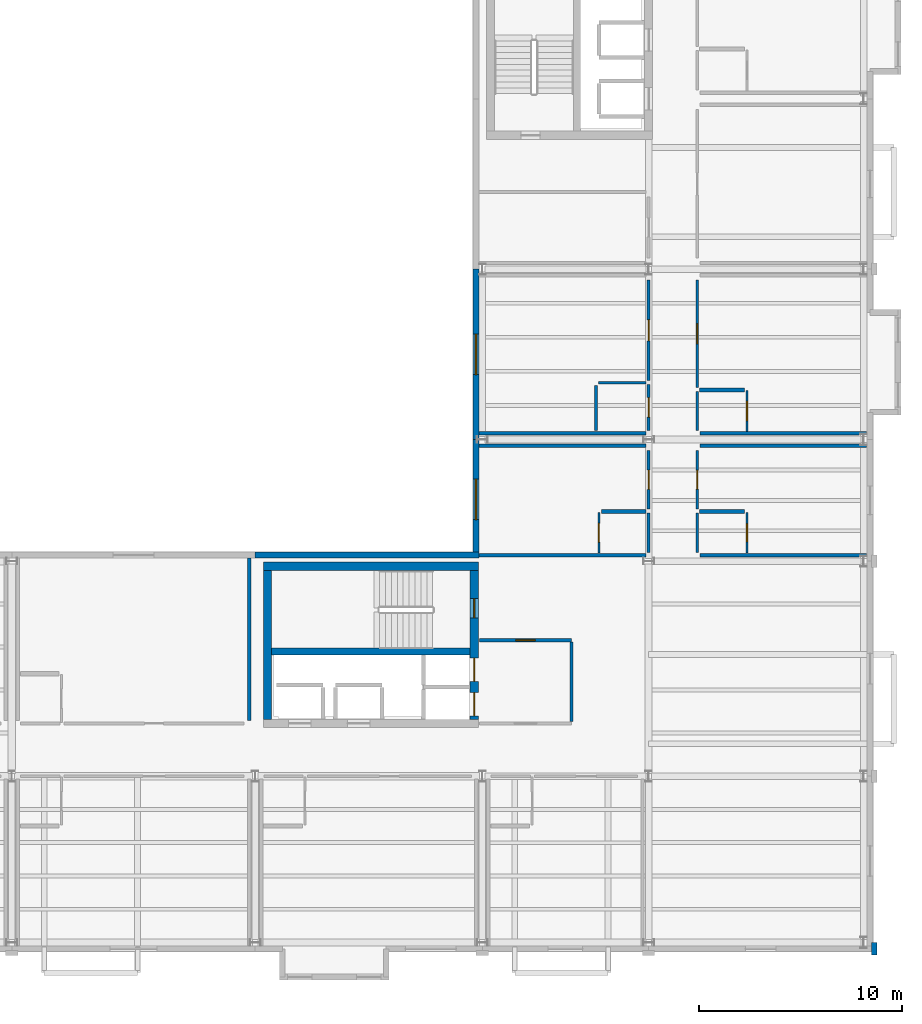
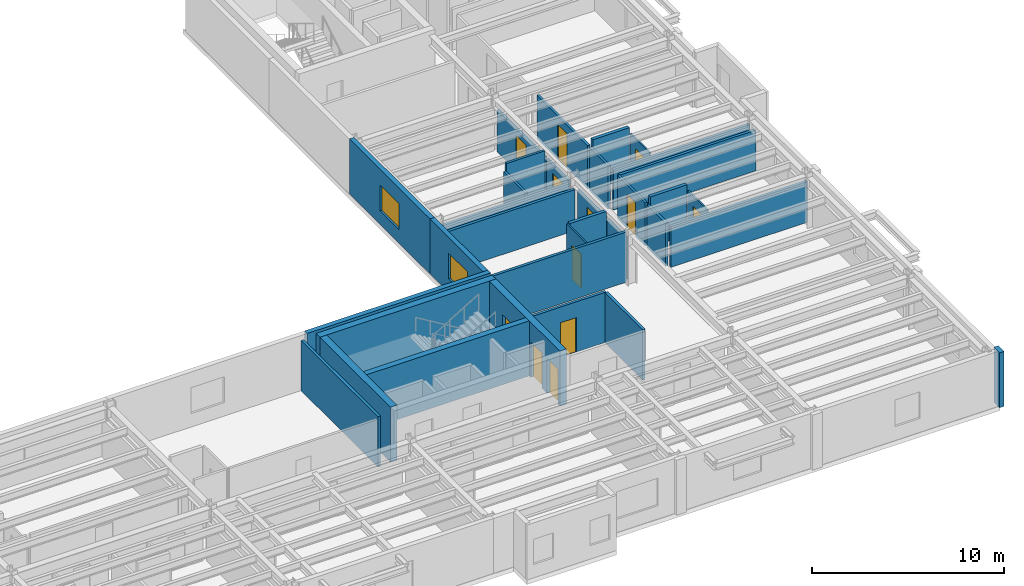
# One storey, part 13 of 17: 33 walls, 12 doors, 2 windows, 14 openings.
"""IFC4 building model written with IfcOpenShell, lengths in metres."""

from ifc_helpers import new_model, si_unit, direction, frame, frame_2d, origin, place, context, subcontext, project, spatial, rectangle, extrude, material, layer, layer_set, type_object, element, fill, save


model = new_model("IFC4")

# Units and contexts
model_context = context("Model", 3, precision=1e-05, world=origin(), true_north=direction((0.0, 1.0)))
body_context = subcontext(model_context, "Body", "Model", "MODEL_VIEW")
ifc_project = project(units=[si_unit("LENGTHUNIT", "METRE"), si_unit("AREAUNIT", "SQUARE_METRE"), si_unit("VOLUMEUNIT", "CUBIC_METRE"), si_unit("PLANEANGLEUNIT", "RADIAN"), si_unit("MASSUNIT", "GRAM", prefix="KILO")], contexts=[model_context])

# Site, building, storey
site_placement = place(None, origin())
site = spatial("IfcSite", under=ifc_project, at=site_placement, CompositionType="ELEMENT")
building_placement = place(site_placement, origin())
building = spatial("IfcBuilding", under=site, at=building_placement, Name="Sollismere Congress Hotel", CompositionType="ELEMENT")
storey_placement = place(building_placement, frame((0.0, 0.0, 37.60009765625)))
storey = spatial("IfcBuildingStorey", under=building, at=storey_placement, Name="L09", CompositionType="ELEMENT", Elevation=37.60009765625)

# Wall
ifc_material_1 = material(Name="Colorado Buff Sandstone Rainscreen on Insulated Backup", Category="masonry")
ifc_layer_1 = layer(ifc_material_1, 0.284912109375, Name="Colorado Buff Sandstone Rainscreen on Insulated Backup")
ifc_layer_set_1 = layer_set([ifc_layer_1], Name="Colorado Buff Sandstone Rainscreen on Insulated Backup")
wall_type_1 = type_object("IfcWallType", Name="WL-EXT285", PredefinedType="STANDARD", material=ifc_layer_set_1)
wall_1_placement = place(storey_placement, frame((147.030029296875, 19.110107421875, 0.0), z_axis=(0.0, 0.0, 1.0), x_axis=(-1.0, 0.0, 0.0)))
element("IfcWall", 1, at=wall_1_placement, inside=storey, type_object=wall_type_1, Name="Exterior wall EW-L09-933", PredefinedType="STANDARD", context=body_context, shape_type="SweptSolid", body=[
    extrude(rectangle(XDim=11.030029296875, YDim=0.284912109375, at=frame_2d((5.51513671875, 0.0))), origin(), (0.0, 0.0, 1.0), 3.5),
])

# Wall, opening, window
wall_2_placement = place(storey_placement, frame((146.889892578125, 19.25439453125, 0.0), z_axis=(0.0, 0.0, 1.0), x_axis=(0.0, 1.0, 0.0)))
wall_2 = element("IfcWall", 2, at=wall_2_placement, inside=storey, type_object=wall_type_1, Name="Exterior wall EW-L09-934", PredefinedType="STANDARD", context=body_context, shape_type="SweptSolid", body=[
    extrude(rectangle(XDim=5.545654296875, YDim=0.284912109375, at=frame_2d((2.77294921875, 0.0))), origin(), (0.0, 0.0, 1.0), 3.5),
])
opening_1_placement = place(wall_2_placement, frame((1.59765625, 0.0, 0.85009765625)))
opening_1 = element("IfcOpeningElement", 3, at=opening_1_placement, cuts=wall_2, Name="Opening W-L09-668", PredefinedType="OPENING", context=body_context, shape_type="SweptSolid", body=[
    extrude(rectangle(XDim=2.0, YDim=1.64990234375, at=frame_2d((1.0, 0.824951171875))), frame((0.0, 0.15234375, 0.0), z_axis=(0.0, -1.0, 0.0), x_axis=(1.0, 0.0, 0.0)), (0.0, 0.0, 1.0), 0.304931640625),
])
ifc_material_2 = material(Name="Thermally Broken Bronze Aluminum & Low-E Glass", Category="aluminium")
window_type = type_object("IfcWindowType", Name="WN-P200x165", PartitioningType="SINGLE_PANEL", PredefinedType="WINDOW", material=ifc_material_2)
window_1_placement = place(opening_1_placement, origin())
window_1 = element("IfcWindow", 4, at=window_1_placement, inside=storey, type_object=window_type, Name="WIN-W-L09-668", OverallHeight=1.64990234375, OverallWidth=2.0, PartitioningType="SINGLE_PANEL", PredefinedType="WINDOW", context=body_context, shape_type="SweptSolid", body=[
    extrude(rectangle(XDim=2.0, YDim=1.64990234375, at=frame_2d((1.0, 0.824951171875))), frame((0.0, 0.030029296875, 0.0), z_axis=(0.0, -1.0, 0.0), x_axis=(1.0, 0.0, 0.0)), (0.0, 0.0, 1.0), 0.06005859375),
])
fill(opening_1, window_1)

wall_3_placement = place(storey_placement, frame((146.889892578125, 24.800048828125, 0.0), z_axis=(0.0, 0.0, 1.0), x_axis=(0.0, 1.0, 0.0)))
wall_3 = element("IfcWall", 5, at=wall_3_placement, inside=storey, type_object=wall_type_1, Name="Exterior wall EW-L09-935", PredefinedType="STANDARD", context=body_context, shape_type="SweptSolid", body=[
    extrude(rectangle(XDim=8.39990234375, YDim=0.284912109375, at=frame_2d((4.199951171875, 0.0))), origin(), (0.0, 0.0, 1.0), 3.5),
])
opening_2_placement = place(wall_3_placement, frame((3.199951171875, 0.0, 0.85009765625)))
opening_2 = element("IfcOpeningElement", 6, at=opening_2_placement, cuts=wall_3, Name="Opening W-L09-669", PredefinedType="OPENING", context=body_context, shape_type="SweptSolid", body=[
    extrude(rectangle(XDim=2.0, YDim=1.64990234375, at=frame_2d((1.0, 0.824951171875))), frame((0.0, 0.15234375, 0.0), z_axis=(0.0, -1.0, 0.0), x_axis=(1.0, 0.0, 0.0)), (0.0, 0.0, 1.0), 0.304931640625),
])
window_2_placement = place(opening_2_placement, origin())
window_2 = element("IfcWindow", 7, at=window_2_placement, inside=storey, type_object=window_type, Name="WIN-W-L09-669", OverallHeight=1.64990234375, OverallWidth=2.0, PartitioningType="SINGLE_PANEL", PredefinedType="WINDOW", context=body_context, shape_type="SweptSolid", body=[
    extrude(rectangle(XDim=2.0, YDim=1.64990234375, at=frame_2d((1.0, 0.824951171875))), frame((0.0, 0.030029296875, 0.0), z_axis=(0.0, -1.0, 0.0), x_axis=(1.0, 0.0, 0.0)), (0.0, 0.0, 1.0), 0.06005859375),
])
fill(opening_2, window_2)

# Walls
ifc_material_3 = material(Name="Carved Travertine Pilaster & Frieze Assembly", Category="masonry")
ifc_layer_2 = layer(ifc_material_3, 0.260009765625, Name="Carved Travertine Pilaster & Frieze Assembly")
ifc_layer_set_2 = layer_set([ifc_layer_2], Name="Carved Travertine Pilaster & Frieze Assembly")
wall_type_2 = type_object("IfcWallType", Name="WL-PIL280", PredefinedType="ELEMENTEDWALL", material=ifc_layer_set_2)
wall_4_placement = place(storey_placement, frame((166.52001953125, -0.610107421875, 0.0), z_axis=(0.0, 0.0, 1.0), x_axis=(0.0, 1.0, 0.0)))
element("IfcWall", 8, at=wall_4_placement, inside=storey, type_object=wall_type_2, Name="Exterior wall EW-L09-909", PredefinedType="ELEMENTEDWALL", context=body_context, shape_type="SweptSolid", body=[
    extrude(rectangle(XDim=0.60009765625, YDim=0.260009765625, at=frame_2d((0.300048828125, 0.0))), origin(), (0.0, 0.0, 1.0), 3.5),
])
ifc_material_4 = material(Name="Moisture-Resistant Shaft Gypsum Assembly")
ifc_layer_3 = layer(ifc_material_4, 0.199951171875, Name="Moisture-Resistant Shaft Gypsum Assembly")
ifc_layer_set_3 = layer_set([ifc_layer_3], Name="Moisture-Resistant Shaft Gypsum Assembly")
wall_type_3 = type_object("IfcWallType", Name="WL-PLM200", PredefinedType="PLUMBINGWALL", material=ifc_layer_set_3)
for number, where, z_axis, x_axis, name in (
    (9, (157.919921875, 21.25, 0.0), (0.0, 0.0, 1.0), (1.0, 0.0, 0.0), "Interior wall IW-L09-2698"),
    (10, (153.070068359375, 21.25, 0.0), (0.0, 0.0, 1.0), (1.0, 0.0, 0.0), "Interior wall IW-L09-2704"),
    (11, (157.919921875, 27.25, 0.0), (0.0, 0.0, 1.0), (1.0, 0.0, 0.0), "Interior wall IW-L09-2710"),
):
    element("IfcWall", number, at=place(storey_placement, frame(where, z_axis=z_axis, x_axis=x_axis)), inside=storey, type_object=wall_type_3, Name=name, PredefinedType="PLUMBINGWALL", context=body_context, shape_type="SweptSolid", body=[
        extrude(rectangle(XDim=2.2099609375, YDim=0.199951171875, at=frame_2d((1.10498046875, 0.0))), origin(), (0.0, 0.0, 1.0), 3.199951171875),
    ])

# Wall, opening, door
ifc_material_5 = material(Name="Moisture-Resistant Gypsum Partition")
ifc_layer_4 = layer(ifc_material_5, 0.10009765625, Name="Moisture-Resistant Gypsum Partition")
ifc_layer_set_4 = layer_set([ifc_layer_4], Name="Moisture-Resistant Gypsum Partition")
wall_type_4 = type_object("IfcWallType", Name="WL-PRT100", PredefinedType="PARTITIONING", material=ifc_layer_set_4)
wall_5_placement = place(storey_placement, frame((160.25, 19.194580078125, 0.0), z_axis=(0.0, 0.0, 1.0), x_axis=(0.0, 1.0, 0.0)))
wall_5 = element("IfcWall", 12, at=wall_5_placement, inside=storey, type_object=wall_type_4, Name="Interior wall IW-L09-2699", PredefinedType="PARTITIONING", context=body_context, shape_type="SweptSolid", body=[
    extrude(rectangle(XDim=2.015380859375, YDim=0.10009765625, at=frame_2d((1.0078125, 0.0))), origin(), (0.0, 0.0, 1.0), 2.7578125),
])
opening_3_placement = place(wall_5_placement, frame((0.554931640625, 0.0, 0.0)))
opening_3 = element("IfcOpeningElement", 13, at=opening_3_placement, cuts=wall_5, Name="Opening D-L09-0953", PredefinedType="OPENING", context=body_context, shape_type="SweptSolid", body=[
    extrude(rectangle(XDim=0.905029296875, YDim=2.10009765625, at=frame_2d((0.45263671875, 1.050048828125))), frame((0.0, 0.06005859375, 0.0), z_axis=(0.0, -1.0, 0.0), x_axis=(1.0, 0.0, 0.0)), (0.0, 0.0, 1.0), 0.1201171875),
])
ifc_material_6 = material(Name="Moisture-Sealed Timber Bathroom Door", Category="wood")
door_type_1 = type_object("IfcDoorType", Name="DR-BT02", OperationType="NOTDEFINED", PredefinedType="DOOR", material=ifc_material_6)
door_1_placement = place(opening_3_placement, origin())
door_1 = element("IfcDoor", 14, at=door_1_placement, inside=storey, type_object=door_type_1, Name="En-suite bathroom door D-L09-0953", OperationType="SINGLE_SWING_RIGHT", OverallHeight=2.10009765625, OverallWidth=0.905029296875, PredefinedType="DOOR", context=body_context, shape_type="SweptSolid", body=[
    extrude(rectangle(XDim=0.905029296875, YDim=2.10009765625, at=frame_2d((0.45263671875, 1.050048828125))), frame((0.0, 0.02490234375, 0.0), z_axis=(0.0, -1.0, 0.0), x_axis=(1.0, 0.0, 0.0)), (0.0, 0.0, 1.0), 0.050048828125),
])
fill(opening_3, door_1)

wall_6_placement = place(storey_placement, frame((152.949951171875, 19.194580078125, 0.0), z_axis=(0.0, 0.0, 1.0), x_axis=(0.0, 1.0, 0.0)))
wall_6 = element("IfcWall", 15, at=wall_6_placement, inside=storey, type_object=wall_type_4, Name="Interior wall IW-L09-2705", PredefinedType="PARTITIONING", context=body_context, shape_type="SweptSolid", body=[
    extrude(rectangle(XDim=2.015380859375, YDim=0.10009765625, at=frame_2d((1.0078125, 0.0))), origin(), (0.0, 0.0, 1.0), 3.199951171875),
])
opening_4_placement = place(wall_6_placement, frame((0.54296875, 0.0, 0.0)))
opening_4 = element("IfcOpeningElement", 16, at=opening_4_placement, cuts=wall_6, Name="Opening D-L09-0955", PredefinedType="OPENING", context=body_context, shape_type="SweptSolid", body=[
    extrude(rectangle(XDim=0.929931640625, YDim=2.139892578125, at=frame_2d((0.46484375, 1.06982421875))), frame((0.0, 0.06005859375, 0.0), z_axis=(0.0, -1.0, 0.0), x_axis=(1.0, 0.0, 0.0)), (0.0, 0.0, 1.0), 0.1201171875),
])
door_type_2 = type_object("IfcDoorType", Name="DR-BT03", OperationType="NOTDEFINED", PredefinedType="DOOR", material=ifc_material_6)
door_2_placement = place(opening_4_placement, origin())
door_2 = element("IfcDoor", 17, at=door_2_placement, inside=storey, type_object=door_type_2, Name="En-suite bathroom door D-L09-0955", OperationType="SINGLE_SWING_RIGHT", OverallHeight=2.139892578125, OverallWidth=0.929931640625, PredefinedType="DOOR", context=body_context, shape_type="SweptSolid", body=[
    extrude(rectangle(XDim=0.929931640625, YDim=2.139892578125, at=frame_2d((0.46484375, 1.06982421875))), frame((0.0, 0.02490234375, 0.0), z_axis=(0.0, -1.0, 0.0), x_axis=(1.0, 0.0, 0.0)), (0.0, 0.0, 1.0), 0.050048828125),
])
fill(opening_4, door_2)

wall_7_placement = place(storey_placement, frame((160.25, 25.194580078125, 0.0), z_axis=(0.0, 0.0, 1.0), x_axis=(0.0, 1.0, 0.0)))
wall_7 = element("IfcWall", 18, at=wall_7_placement, inside=storey, type_object=wall_type_4, Name="Interior wall IW-L09-2711", PredefinedType="PARTITIONING", context=body_context, shape_type="SweptSolid", body=[
    extrude(rectangle(XDim=2.015380859375, YDim=0.10009765625, at=frame_2d((1.0078125, 0.0))), origin(), (0.0, 0.0, 1.0), 2.7578125),
])
opening_5_placement = place(wall_7_placement, frame((0.530029296875, 0.0, 0.0)))
opening_5 = element("IfcOpeningElement", 19, at=opening_5_placement, cuts=wall_7, Name="Opening D-L09-0957", PredefinedType="OPENING", context=body_context, shape_type="SweptSolid", body=[
    extrude(rectangle(XDim=0.955078125, YDim=2.139892578125, at=frame_2d((0.4775390625, 1.06982421875))), frame((0.0, 0.06005859375, 0.0), z_axis=(0.0, -1.0, 0.0), x_axis=(1.0, 0.0, 0.0)), (0.0, 0.0, 1.0), 0.1201171875),
])
door_type_3 = type_object("IfcDoorType", Name="DR-BT04", OperationType="NOTDEFINED", PredefinedType="DOOR", material=ifc_material_6)
door_3_placement = place(opening_5_placement, origin())
door_3 = element("IfcDoor", 20, at=door_3_placement, inside=storey, type_object=door_type_3, Name="En-suite bathroom door D-L09-0957", OperationType="SINGLE_SWING_RIGHT", OverallHeight=2.139892578125, OverallWidth=0.955078125, PredefinedType="DOOR", context=body_context, shape_type="SweptSolid", body=[
    extrude(rectangle(XDim=0.955078125, YDim=2.139892578125, at=frame_2d((0.4775390625, 1.06982421875))), frame((0.0, 0.02490234375, 0.0), z_axis=(0.0, -1.0, 0.0), x_axis=(1.0, 0.0, 0.0)), (0.0, 0.0, 1.0), 0.050048828125),
])
fill(opening_5, door_3)

# Wall
ifc_material_7 = material(Name="Fire-Rated Gypsum Partition")
ifc_layer_5 = layer(ifc_material_7, 0.139892578125, Name="Fire-Rated Gypsum Partition")
ifc_layer_set_5 = layer_set([ifc_layer_5], Name="Fire-Rated Gypsum Partition")
wall_type_5 = type_object("IfcWallType", Name="WL-PRT140R", PredefinedType="PARTITIONING", material=ifc_layer_set_5)
wall_8_placement = place(storey_placement, frame((157.800048828125, 19.239990234375, 0.0), z_axis=(0.0, 0.0, 1.0), x_axis=(0.0, 1.0, 0.0)))
element("IfcWall", 21, at=wall_8_placement, inside=storey, type_object=wall_type_5, Name="Interior wall IW-L09-2694", PredefinedType="PARTITIONING", context=body_context, shape_type="SweptSolid", body=[
    extrude(rectangle(XDim=1.929931640625, YDim=0.139892578125, at=frame_2d((0.96484375, 0.0))), origin(), (0.0, 0.0, 1.0), 2.7578125),
])

# Wall, opening, door
wall_9_placement = place(storey_placement, frame((157.800048828125, 21.3701171875, 0.0), z_axis=(0.0, 0.0, 1.0), x_axis=(0.0, 1.0, 0.0)))
wall_9 = element("IfcWall", 22, at=wall_9_placement, inside=storey, type_object=wall_type_5, Name="Interior wall IW-L09-2695", PredefinedType="PARTITIONING", context=body_context, shape_type="SweptSolid", body=[
    extrude(rectangle(XDim=2.889892578125, YDim=0.139892578125, at=frame_2d((1.44482421875, 0.0))), origin(), (0.0, 0.0, 1.0), 2.7578125),
])
opening_6_placement = place(wall_9_placement, frame((0.985107421875, 0.0, 0.0)))
opening_6 = element("IfcOpeningElement", 23, at=opening_6_placement, cuts=wall_9, Name="Opening D-L09-0952", PredefinedType="OPENING", context=body_context, shape_type="SweptSolid", body=[
    extrude(rectangle(XDim=0.919921875, YDim=2.14990234375, at=frame_2d((0.4599609375, 1.074951171875))), frame((0.0, 0.079833984375, 0.0), z_axis=(0.0, -1.0, 0.0), x_axis=(1.0, 0.0, 0.0)), (0.0, 0.0, 1.0), 0.159912109375),
])
ifc_material_8 = material(Name="Solid-Core Acoustic Walnut Guestroom Entry Door")
door_type_4 = type_object("IfcDoorType", Name="DR-KY01", OperationType="NOTDEFINED", PredefinedType="DOOR", material=ifc_material_8)
door_4_placement = place(opening_6_placement, origin())
door_4 = element("IfcDoor", 24, at=door_4_placement, inside=storey, type_object=door_type_4, Name="Hotel room entry door D-L09-0952", OperationType="SINGLE_SWING_LEFT", OverallHeight=2.14990234375, OverallWidth=0.919921875, PredefinedType="DOOR", context=body_context, shape_type="SweptSolid", body=[
    extrude(rectangle(XDim=0.919921875, YDim=2.14990234375, at=frame_2d((0.4599609375, 1.074951171875))), frame((0.0, 0.02490234375, 0.0), z_axis=(0.0, -1.0, 0.0), x_axis=(1.0, 0.0, 0.0)), (0.0, 0.0, 1.0), 0.050048828125),
])
fill(opening_6, door_4)

# Wall
wall_10_placement = place(storey_placement, frame((155.39990234375, 19.239990234375, 0.0), z_axis=(0.0, 0.0, 1.0), x_axis=(0.0, 1.0, 0.0)))
element("IfcWall", 25, at=wall_10_placement, inside=storey, type_object=wall_type_5, Name="Interior wall IW-L09-2700", PredefinedType="PARTITIONING", context=body_context, shape_type="SweptSolid", body=[
    extrude(rectangle(XDim=1.929931640625, YDim=0.139892578125, at=frame_2d((0.96484375, 0.0))), origin(), (0.0, 0.0, 1.0), 2.673828125),
])

# Wall, opening, door
wall_11_placement = place(storey_placement, frame((155.39990234375, 21.3701171875, 0.0), z_axis=(0.0, 0.0, 1.0), x_axis=(0.0, 1.0, 0.0)))
wall_11 = element("IfcWall", 26, at=wall_11_placement, inside=storey, type_object=wall_type_5, Name="Interior wall IW-L09-2701", PredefinedType="PARTITIONING", context=body_context, shape_type="SweptSolid", body=[
    extrude(rectangle(XDim=2.889892578125, YDim=0.139892578125, at=frame_2d((1.44482421875, 0.0))), origin(), (0.0, 0.0, 1.0), 2.673828125),
])
opening_7_placement = place(wall_11_placement, frame((0.969970703125, 0.0, 0.0)))
opening_7 = element("IfcOpeningElement", 27, at=opening_7_placement, cuts=wall_11, Name="Opening D-L09-0954", PredefinedType="OPENING", context=body_context, shape_type="SweptSolid", body=[
    extrude(rectangle(XDim=0.949951171875, YDim=2.14990234375, at=frame_2d((0.47509765625, 1.074951171875))), frame((0.0, 0.079833984375, 0.0), z_axis=(0.0, -1.0, 0.0), x_axis=(1.0, 0.0, 0.0)), (0.0, 0.0, 1.0), 0.159912109375),
])
door_type_5 = type_object("IfcDoorType", Name="DR-KY02", OperationType="NOTDEFINED", PredefinedType="DOOR", material=ifc_material_8)
door_5_placement = place(opening_7_placement, origin())
door_5 = element("IfcDoor", 28, at=door_5_placement, inside=storey, type_object=door_type_5, Name="Hotel room entry door D-L09-0954", OperationType="SINGLE_SWING_LEFT", OverallHeight=2.14990234375, OverallWidth=0.949951171875, PredefinedType="DOOR", context=body_context, shape_type="SweptSolid", body=[
    extrude(rectangle(XDim=0.949951171875, YDim=2.14990234375, at=frame_2d((0.47509765625, 1.074951171875))), frame((0.0, 0.02490234375, 0.0), z_axis=(0.0, -1.0, 0.0), x_axis=(1.0, 0.0, 0.0)), (0.0, 0.0, 1.0), 0.050048828125),
])
fill(opening_7, door_5)

# Wall
wall_12_placement = place(storey_placement, frame((157.800048828125, 25.239990234375, 0.0), z_axis=(0.0, 0.0, 1.0), x_axis=(0.0, 1.0, 0.0)))
element("IfcWall", 29, at=wall_12_placement, inside=storey, type_object=wall_type_5, Name="Interior wall IW-L09-2706", PredefinedType="PARTITIONING", context=body_context, shape_type="SweptSolid", body=[
    extrude(rectangle(XDim=1.929931640625, YDim=0.139892578125, at=frame_2d((0.96484375, 0.0))), origin(), (0.0, 0.0, 1.0), 2.7578125),
])

# Wall, opening, door
wall_13_placement = place(storey_placement, frame((157.800048828125, 27.3701171875, 0.0), z_axis=(0.0, 0.0, 1.0), x_axis=(0.0, 1.0, 0.0)))
wall_13 = element("IfcWall", 30, at=wall_13_placement, inside=storey, type_object=wall_type_5, Name="Interior wall IW-L09-2707", PredefinedType="PARTITIONING", context=body_context, shape_type="SweptSolid", body=[
    extrude(rectangle(XDim=5.289794921875, YDim=0.139892578125, at=frame_2d((2.64501953125, 0.0))), origin(), (0.0, 0.0, 1.0), 2.7578125),
])
opening_8_placement = place(wall_13_placement, frame((2.155029296875, 0.0, 0.0)))
opening_8 = element("IfcOpeningElement", 31, at=opening_8_placement, cuts=wall_13, Name="Opening D-L09-0956", PredefinedType="OPENING", context=body_context, shape_type="SweptSolid", body=[
    extrude(rectangle(XDim=0.97998046875, YDim=2.199951171875, at=frame_2d((0.489990234375, 1.10009765625))), frame((0.0, 0.079833984375, 0.0), z_axis=(0.0, -1.0, 0.0), x_axis=(1.0, 0.0, 0.0)), (0.0, 0.0, 1.0), 0.159912109375),
])
door_type_6 = type_object("IfcDoorType", Name="DR-KY03", OperationType="NOTDEFINED", PredefinedType="DOOR", material=ifc_material_8)
door_6_placement = place(opening_8_placement, origin())
door_6 = element("IfcDoor", 32, at=door_6_placement, inside=storey, type_object=door_type_6, Name="Hotel room entry door D-L09-0956", OperationType="SINGLE_SWING_LEFT", OverallHeight=2.199951171875, OverallWidth=0.97998046875, PredefinedType="DOOR", context=body_context, shape_type="SweptSolid", body=[
    extrude(rectangle(XDim=0.97998046875, YDim=2.199951171875, at=frame_2d((0.489990234375, 1.10009765625))), frame((0.0, 0.02490234375, 0.0), z_axis=(0.0, -1.0, 0.0), x_axis=(1.0, 0.0, 0.0)), (0.0, 0.0, 1.0), 0.050048828125),
])
fill(opening_8, door_6)

wall_14_placement = place(storey_placement, frame((155.39990234375, 25.239990234375, 0.0), z_axis=(0.0, 0.0, 1.0), x_axis=(0.0, 1.0, 0.0)))
wall_14 = element("IfcWall", 33, at=wall_14_placement, inside=storey, type_object=wall_type_5, Name="Interior wall IW-L09-2717", PredefinedType="PARTITIONING", context=body_context, shape_type="SweptSolid", body=[
    extrude(rectangle(XDim=2.280029296875, YDim=0.139892578125, at=frame_2d((1.14013671875, 0.0))), origin(), (0.0, 0.0, 1.0), 2.673828125),
])
opening_9_placement = place(wall_14_placement, frame((0.659912109375, 0.0, 0.0)))
opening_9 = element("IfcOpeningElement", 34, at=opening_9_placement, cuts=wall_14, Name="Opening D-L09-0960", PredefinedType="OPENING", context=body_context, shape_type="SweptSolid", body=[
    extrude(rectangle(XDim=0.9599609375, YDim=2.14990234375, at=frame_2d((0.47998046875, 1.074951171875))), frame((0.0, 0.079833984375, 0.0), z_axis=(0.0, -1.0, 0.0), x_axis=(1.0, 0.0, 0.0)), (0.0, 0.0, 1.0), 0.159912109375),
])
ifc_material_9 = material(Name="Fire-Rated Accessible Restroom Door")
door_type_7 = type_object("IfcDoorType", Name="DR-AWC01", OperationType="NOTDEFINED", PredefinedType="DOOR", material=ifc_material_9)
door_7_placement = place(opening_9_placement, origin())
door_7 = element("IfcDoor", 35, at=door_7_placement, inside=storey, type_object=door_type_7, Name="Accessible restroom door D-L09-0960", OperationType="SINGLE_SWING_LEFT", OverallHeight=2.14990234375, OverallWidth=0.9599609375, PredefinedType="DOOR", context=body_context, shape_type="SweptSolid", body=[
    extrude(rectangle(XDim=0.9599609375, YDim=2.14990234375, at=frame_2d((0.47998046875, 1.074951171875))), frame((0.0, 0.02490234375, 0.0), z_axis=(0.0, -1.0, 0.0), x_axis=(1.0, 0.0, 0.0)), (0.0, 0.0, 1.0), 0.050048828125),
])
fill(opening_9, door_7)

# Walls
wall_15_placement = place(storey_placement, frame((152.800048828125, 25.239990234375, 0.0), z_axis=(0.0, 0.0, 1.0), x_axis=(0.0, 1.0, 0.0)))
element("IfcWall", 36, at=wall_15_placement, inside=storey, type_object=wall_type_5, Name="Interior wall IW-L09-2718", PredefinedType="PARTITIONING", context=body_context, shape_type="SweptSolid", body=[
    extrude(rectangle(XDim=2.219970703125, YDim=0.139892578125, at=frame_2d((1.10986328125, 0.0))), origin(), (0.0, 0.0, 1.0), 2.807861328125),
])
wall_16_placement = place(storey_placement, frame((152.93994140625, 27.60009765625, 0.0), z_axis=(0.0, 0.0, 1.0), x_axis=(1.0, 0.0, 0.0)))
element("IfcWall", 37, at=wall_16_placement, inside=storey, type_object=wall_type_5, Name="Interior wall IW-L09-2719", PredefinedType="PARTITIONING", context=body_context, shape_type="SweptSolid", body=[
    extrude(rectangle(XDim=2.320068359375, YDim=0.139892578125, at=frame_2d((1.16015625, 0.0))), origin(), (0.0, 0.0, 1.0), 3.199951171875),
])

# Wall, opening, door
wall_17_placement = place(storey_placement, frame((155.39990234375, 27.699951171875, 0.0), z_axis=(0.0, 0.0, 1.0), x_axis=(0.0, 1.0, 0.0)))
wall_17 = element("IfcWall", 38, at=wall_17_placement, inside=storey, type_object=wall_type_5, Name="Interior wall IW-L09-2720", PredefinedType="PARTITIONING", context=body_context, shape_type="SweptSolid", body=[
    extrude(rectangle(XDim=4.9599609375, YDim=0.139892578125, at=frame_2d((2.47998046875, 0.0))), origin(), (0.0, 0.0, 1.0), 2.673828125),
])
opening_10_placement = place(wall_17_placement, frame((1.9599609375, 0.0, 0.0)))
opening_10 = element("IfcOpeningElement", 39, at=opening_10_placement, cuts=wall_17, Name="Opening D-L09-0961", PredefinedType="OPENING", context=body_context, shape_type="SweptSolid", body=[
    extrude(rectangle(XDim=1.0400390625, YDim=2.25, at=frame_2d((0.52001953125, 1.125))), frame((0.0, 0.079833984375, 0.0), z_axis=(0.0, -1.0, 0.0), x_axis=(1.0, 0.0, 0.0)), (0.0, 0.0, 1.0), 0.159912109375),
])
door_type_8 = type_object("IfcDoorType", Name="DR-KY05", OperationType="NOTDEFINED", PredefinedType="DOOR", material=ifc_material_8)
door_8_placement = place(opening_10_placement, origin())
door_8 = element("IfcDoor", 40, at=door_8_placement, inside=storey, type_object=door_type_8, Name="Hotel room entry door D-L09-0961", OperationType="SINGLE_SWING_RIGHT", OverallHeight=2.25, OverallWidth=1.0400390625, PredefinedType="DOOR", context=body_context, shape_type="SweptSolid", body=[
    extrude(rectangle(XDim=1.0400390625, YDim=2.25, at=frame_2d((0.52001953125, 1.125))), frame((0.0, 0.02490234375, 0.0), z_axis=(0.0, -1.0, 0.0), x_axis=(1.0, 0.0, 0.0)), (0.0, 0.0, 1.0), 0.050048828125),
])
fill(opening_10, door_8)

ifc_material_10 = material(Name="Fire-Rated Acoustic Gypsum Partition")
ifc_layer_6 = layer(ifc_material_10, 0.1650390625, Name="Fire-Rated Acoustic Gypsum Partition")
ifc_layer_set_6 = layer_set([ifc_layer_6], Name="Fire-Rated Acoustic Gypsum Partition")
wall_type_6 = type_object("IfcWallType", Name="WL-PRT165R", PredefinedType="PARTITIONING", material=ifc_layer_set_6)
wall_18_placement = place(storey_placement, frame((147.050048828125, 14.89990234375, 0.0), z_axis=(0.0, 0.0, 1.0), x_axis=(1.0, 0.0, 0.0)))
wall_18 = element("IfcWall", 41, at=wall_18_placement, inside=storey, type_object=wall_type_6, Name="Interior wall IW-L09-0175", PredefinedType="PARTITIONING", context=body_context, shape_type="SweptSolid", body=[
    extrude(rectangle(XDim=4.550048828125, YDim=0.1650390625, at=frame_2d((2.27490234375, 0.0))), origin(), (0.0, 0.0, 1.0), 3.199951171875),
])
opening_11_placement = place(wall_18_placement, frame((1.800048828125, 0.0, 0.0)))
opening_11 = element("IfcOpeningElement", 42, at=opening_11_placement, cuts=wall_18, Name="Opening D-FFS-L09", PredefinedType="OPENING", context=body_context, shape_type="SweptSolid", body=[
    extrude(rectangle(XDim=0.949951171875, YDim=2.199951171875, at=frame_2d((0.47509765625, 1.10009765625))), frame((0.0, 0.092529296875, 0.0), z_axis=(0.0, -1.0, 0.0), x_axis=(1.0, 0.0, 0.0)), (0.0, 0.0, 1.0), 0.18505859375),
])
ifc_material_11 = material(Name="Fire-Rated Insulated Steel Door", Category="steel")
door_type_9 = type_object("IfcDoorType", Name="DR-FD90", OperationType="NOTDEFINED", PredefinedType="DOOR", material=ifc_material_11)
door_9_placement = place(opening_11_placement, origin())
door_9 = element("IfcDoor", 43, at=door_9_placement, inside=storey, type_object=door_type_9, Name="Firefighting stair vestibule door D-FFS-L09", OperationType="SINGLE_SWING_LEFT", OverallHeight=2.199951171875, OverallWidth=0.949951171875, PredefinedType="DOOR", context=body_context, shape_type="SweptSolid", body=[
    extrude(rectangle(XDim=0.949951171875, YDim=2.199951171875, at=frame_2d((0.47509765625, 1.10009765625))), frame((0.0, 0.02490234375, 0.0), z_axis=(0.0, -1.0, 0.0), x_axis=(1.0, 0.0, 0.0)), (0.0, 0.0, 1.0), 0.050048828125),
])
fill(opening_11, door_9)

# Walls
wall_19_placement = place(storey_placement, frame((151.60009765625, 10.89453125, 0.0), z_axis=(0.0, 0.0, 1.0), x_axis=(0.0, 1.0, 0.0)))
element("IfcWall", 44, at=wall_19_placement, inside=storey, type_object=wall_type_6, Name="Interior wall IW-L09-0176", PredefinedType="PARTITIONING", context=body_context, shape_type="SweptSolid", body=[
    extrude(rectangle(XDim=3.910888671875, YDim=0.1650390625, at=frame_2d((1.95556640625, 0.0))), origin(), (0.0, 0.0, 1.0), 3.199951171875),
])
wall_20_placement = place(storey_placement, frame((135.699951171875, 10.93994140625, 0.0), z_axis=(0.0, 0.0, 1.0), x_axis=(0.0, 1.0, 0.0)))
element("IfcWall", 45, at=wall_20_placement, inside=storey, type_object=wall_type_6, Name="Interior wall IW-L09-2679", PredefinedType="PARTITIONING", context=body_context, shape_type="SweptSolid", body=[
    extrude(rectangle(XDim=8.012451171875, YDim=0.1650390625, at=frame_2d((4.00634765625, 0.0))), origin(), (0.0, 0.0, 1.0), 3.199951171875),
])
for number, where, z_axis, x_axis, name in (
    (46, (157.93994140625, 19.10009765625, 0.0), (0.0, 0.0, 1.0), (1.0, 0.0, 0.0), "Interior wall IW-L09-2696"),
    (47, (157.93994140625, 24.5, 0.0), (0.0, 0.0, 1.0), (1.0, 0.0, 0.0), "Interior wall IW-L09-2697"),
):
    element("IfcWall", number, at=place(storey_placement, frame(where, z_axis=z_axis, x_axis=x_axis)), inside=storey, type_object=wall_type_6, Name=name, PredefinedType="PARTITIONING", context=body_context, shape_type="SweptSolid", body=[
        extrude(rectangle(XDim=8.212646484375, YDim=0.1650390625, at=frame_2d((4.1064453125, 0.0))), origin(), (0.0, 0.0, 1.0), 2.58984375),
    ])
wall_21_placement = place(storey_placement, frame((147.0400390625, 19.10009765625, 0.0), z_axis=(0.0, 0.0, 1.0), x_axis=(1.0, 0.0, 0.0)))
element("IfcWall", 48, at=wall_21_placement, inside=storey, type_object=wall_type_6, Name="Interior wall IW-L09-2702", PredefinedType="PARTITIONING", context=body_context, shape_type="SweptSolid", body=[
    extrude(rectangle(XDim=8.219970703125, YDim=0.1650390625, at=frame_2d((4.10986328125, 0.0))), origin(), (0.0, 0.0, 1.0), 3.199951171875),
])
wall_22_placement = place(storey_placement, frame((147.047607421875, 24.5, 0.0), z_axis=(0.0, 0.0, 1.0), x_axis=(1.0, 0.0, 0.0)))
element("IfcWall", 49, at=wall_22_placement, inside=storey, type_object=wall_type_6, Name="Interior wall IW-L09-2703", PredefinedType="PARTITIONING", context=body_context, shape_type="SweptSolid", body=[
    extrude(rectangle(XDim=8.21240234375, YDim=0.1650390625, at=frame_2d((4.106201171875, 0.0))), origin(), (0.0, 0.0, 1.0), 2.61279296875),
])
wall_23_placement = place(storey_placement, frame((157.93994140625, 25.10009765625, 0.0), z_axis=(0.0, 0.0, 1.0), x_axis=(1.0, 0.0, 0.0)))
element("IfcWall", 50, at=wall_23_placement, inside=storey, type_object=wall_type_6, Name="Interior wall IW-L09-2708", PredefinedType="PARTITIONING", context=body_context, shape_type="SweptSolid", body=[
    extrude(rectangle(XDim=8.212646484375, YDim=0.1650390625, at=frame_2d((4.1064453125, 0.0))), origin(), (0.0, 0.0, 1.0), 2.58984375),
])
wall_24_placement = place(storey_placement, frame((147.047607421875, 25.10009765625, 0.0), z_axis=(0.0, 0.0, 1.0), x_axis=(1.0, 0.0, 0.0)))
element("IfcWall", 51, at=wall_24_placement, inside=storey, type_object=wall_type_6, Name="Interior wall IW-L09-2721", PredefinedType="PARTITIONING", context=body_context, shape_type="SweptSolid", body=[
    extrude(rectangle(XDim=8.21240234375, YDim=0.1650390625, at=frame_2d((4.106201171875, 0.0))), origin(), (0.0, 0.0, 1.0), 2.61279296875),
])
ifc_material_12 = material(Name="Concrete C50/60", Category="concrete")
ifc_layer_7 = layer(ifc_material_12, 0.35009765625, Name="Concrete C50/60")
ifc_layer_set_7 = layer_set([ifc_layer_7], Name="Concrete C50/60")
wall_type_7 = type_object("IfcWallType", Name="WL-SHR350", PredefinedType="SHEAR", material=ifc_layer_set_7)
wall_25_placement = place(storey_placement, frame((136.800048828125, 14.35009765625, 0.0), z_axis=(0.0, 0.0, 1.0), x_axis=(1.0, 0.0, 0.0)))
element("IfcWall", 52, at=wall_25_placement, inside=storey, type_object=wall_type_7, Name="Interior wall IW-L09-0165", PredefinedType="SHEAR", context=body_context, shape_type="SweptSolid", body=[
    extrude(rectangle(XDim=9.800048828125, YDim=0.35009765625, at=frame_2d((4.89990234375, 0.0))), origin(), (0.0, 0.0, 1.0), 3.5),
])
ifc_layer_8 = layer(ifc_material_12, 0.39990234375, Name="Concrete C50/60")
ifc_layer_set_8 = layer_set([ifc_layer_8], Name="Concrete C50/60")
wall_type_8 = type_object("IfcWallType", Name="WL-SHR400", PredefinedType="SHEAR", material=ifc_layer_set_8)
wall_26_placement = place(storey_placement, frame((147.0, 18.550048828125, 0.0), z_axis=(0.0, 0.0, 1.0), x_axis=(-1.0, 0.0, 0.0)))
element("IfcWall", 53, at=wall_26_placement, inside=storey, type_object=wall_type_8, Name="Interior wall IW-L09-0162", PredefinedType="SHEAR", context=body_context, shape_type="SweptSolid", body=[
    extrude(rectangle(XDim=10.60009765625, YDim=0.39990234375, at=frame_2d((5.300048828125, 0.0))), origin(), (0.0, 0.0, 1.0), 3.5),
])
wall_27_placement = place(storey_placement, frame((136.60009765625, 18.35009765625, 0.0), z_axis=(0.0, 0.0, 1.0), x_axis=(0.0, -1.0, 0.0)))
element("IfcWall", 54, at=wall_27_placement, inside=storey, type_object=wall_type_8, Name="Interior wall IW-L09-0163", PredefinedType="SHEAR", context=body_context, shape_type="SweptSolid", body=[
    extrude(rectangle(XDim=7.35009765625, YDim=0.39990234375, at=frame_2d((3.675048828125, 0.0))), origin(), (0.0, 0.0, 1.0), 3.5),
])

# Wall, openings, doors
wall_28_placement = place(storey_placement, frame((146.800048828125, 11.0, 0.0), z_axis=(0.0, 0.0, 1.0), x_axis=(0.0, 1.0, 0.0)))
wall_28 = element("IfcWall", 55, at=wall_28_placement, inside=storey, type_object=wall_type_8, Name="Interior wall IW-L09-0164", PredefinedType="SHEAR", context=body_context, shape_type="SweptSolid", body=[
    extrude(rectangle(XDim=7.35009765625, YDim=0.39990234375, at=frame_2d((3.675048828125, 0.0))), origin(), (0.0, 0.0, 1.0), 3.5),
])
opening_12_placement = place(wall_28_placement, frame((5.0, 0.0, 0.0)))
opening_12 = element("IfcOpeningElement", 56, at=opening_12_placement, cuts=wall_28, Name="Opening D-ST-01-L09", PredefinedType="OPENING", context=body_context, shape_type="SweptSolid", body=[
    extrude(rectangle(XDim=0.949951171875, YDim=2.199951171875, at=frame_2d((0.47509765625, 1.10009765625))), frame((0.0, 0.2099609375, 0.0), z_axis=(0.0, -1.0, 0.0), x_axis=(1.0, 0.0, 0.0)), (0.0, 0.0, 1.0), 0.419921875),
])
opening_13_placement = place(wall_28_placement, frame((0.175048828125, 0.0, 0.0)))
opening_13 = element("IfcOpeningElement", 57, at=opening_13_placement, cuts=wall_28, Name="Opening LD-FL-01-L09", PredefinedType="OPENING", context=body_context, shape_type="SweptSolid", body=[
    extrude(rectangle(XDim=1.14990234375, YDim=2.25, at=frame_2d((0.574951171875, 1.125))), frame((0.0, 0.2099609375, 0.0), z_axis=(0.0, -1.0, 0.0), x_axis=(1.0, 0.0, 0.0)), (0.0, 0.0, 1.0), 0.419921875),
])
opening_14_placement = place(wall_28_placement, frame((1.875, 0.0, 0.0)))
opening_14 = element("IfcOpeningElement", 58, at=opening_14_placement, cuts=wall_28, Name="Opening LD-FL-02-L09", PredefinedType="OPENING", context=body_context, shape_type="SweptSolid", body=[
    extrude(rectangle(XDim=1.14990234375, YDim=2.25, at=frame_2d((0.574951171875, 1.125))), frame((0.0, 0.2099609375, 0.0), z_axis=(0.0, -1.0, 0.0), x_axis=(1.0, 0.0, 0.0)), (0.0, 0.0, 1.0), 0.419921875),
])
door_10_placement = place(opening_12_placement, origin())
door_10 = element("IfcDoor", 59, at=door_10_placement, inside=storey, type_object=door_type_9, Name="Exit stair fire door D-ST-01-L09", OperationType="SINGLE_SWING_LEFT", OverallHeight=2.199951171875, OverallWidth=0.949951171875, PredefinedType="DOOR", context=body_context, shape_type="SweptSolid", body=[
    extrude(rectangle(XDim=0.949951171875, YDim=2.199951171875, at=frame_2d((0.47509765625, 1.10009765625))), frame((0.0, 0.02490234375, 0.0), z_axis=(0.0, -1.0, 0.0), x_axis=(1.0, 0.0, 0.0)), (0.0, 0.0, 1.0), 0.050048828125),
])
fill(opening_12, door_10)
ifc_material_13 = material(Name="Stainless Steel Sliding Elevator Landing Door", Category="steel")
door_type_10 = type_object("IfcDoorType", Name="DR-LD115", OperationType="NOTDEFINED", PredefinedType="DOOR", material=ifc_material_13)
door_11_placement = place(opening_13_placement, origin())
door_11 = element("IfcDoor", 60, at=door_11_placement, inside=storey, type_object=door_type_10, Name="Elevator landing door LD-FL-01-L09", OperationType="SLIDING_TO_LEFT", OverallHeight=2.25, OverallWidth=1.14990234375, PredefinedType="DOOR", context=body_context, shape_type="SweptSolid", body=[
    extrude(rectangle(XDim=1.14990234375, YDim=2.25, at=frame_2d((0.574951171875, 1.125))), frame((0.0, 0.02490234375, 0.0), z_axis=(0.0, -1.0, 0.0), x_axis=(1.0, 0.0, 0.0)), (0.0, 0.0, 1.0), 0.050048828125),
])
fill(opening_13, door_11)
door_12_placement = place(opening_14_placement, origin())
door_12 = element("IfcDoor", 61, at=door_12_placement, inside=storey, type_object=door_type_10, Name="Elevator landing door LD-FL-02-L09", OperationType="SLIDING_TO_RIGHT", OverallHeight=2.25, OverallWidth=1.14990234375, PredefinedType="DOOR", context=body_context, shape_type="SweptSolid", body=[
    extrude(rectangle(XDim=1.14990234375, YDim=2.25, at=frame_2d((0.574951171875, 1.125))), frame((0.0, 0.02490234375, 0.0), z_axis=(0.0, -1.0, 0.0), x_axis=(1.0, 0.0, 0.0)), (0.0, 0.0, 1.0), 0.050048828125),
])
fill(opening_14, door_12)

save(model, "model.ifc")
